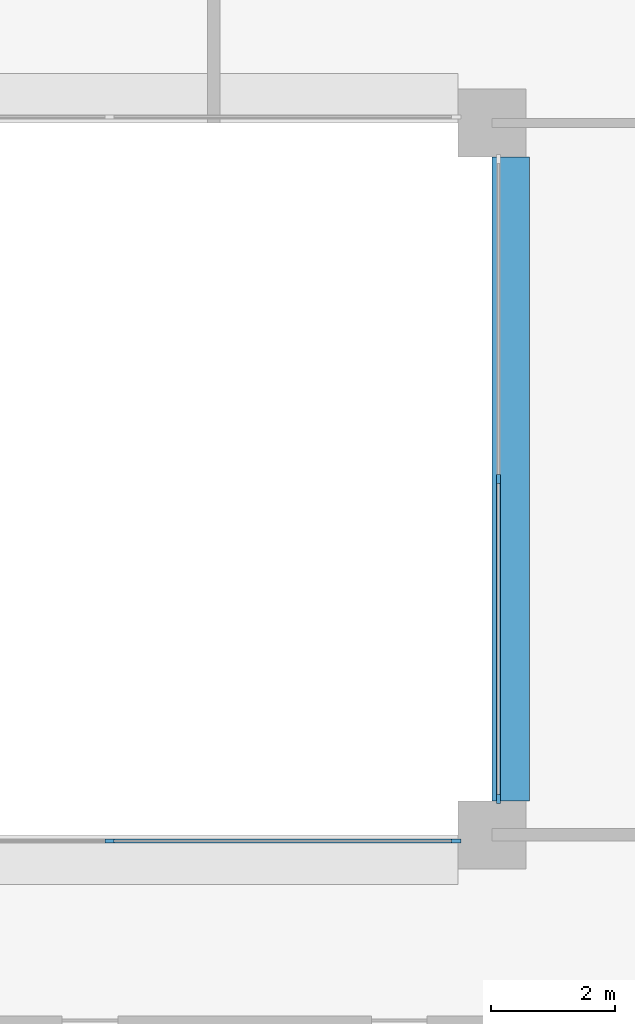
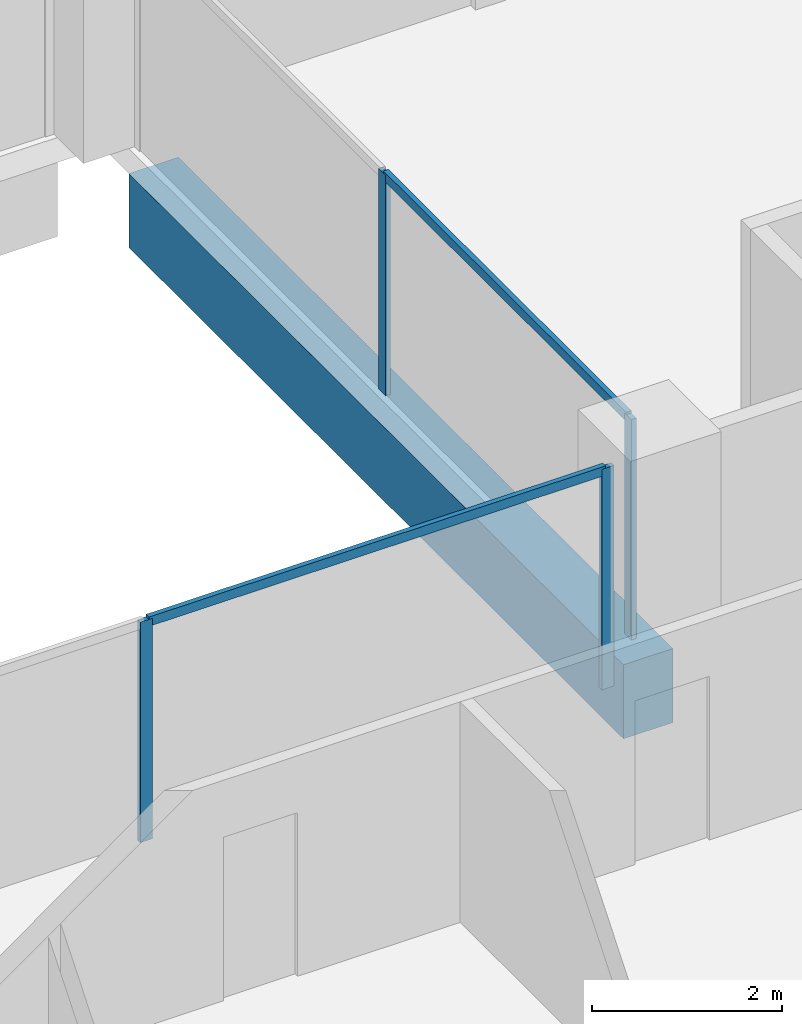
# One storey, part 4 of 16: 6 members, 1 beam, 2 elements without a shape of their own.
"""IFC4 building model written with IfcOpenShell, lengths in metres."""

from ifc_helpers import new_model, si_unit, direction, frame, origin, origin_2d, place, context, subcontext, project, spatial, rectangle, extrude, material, layer, layer_set, material_profile, profile_set, type_object, element, aggregate, save


model = new_model("IFC4")

# Units and contexts
model_context = context("Model", 3, precision=1e-05, world=origin(), true_north=direction((0.0, 1.0)))
body_context = subcontext(model_context, "Body", "Model", "MODEL_VIEW")
ifc_project = project(units=[si_unit("LENGTHUNIT", "METRE"), si_unit("AREAUNIT", "SQUARE_METRE"), si_unit("VOLUMEUNIT", "CUBIC_METRE"), si_unit("PLANEANGLEUNIT", "RADIAN"), si_unit("MASSUNIT", "GRAM", prefix="KILO")], contexts=[model_context])

# Site, building, storey
site_placement = place(None, origin())
site = spatial("IfcSite", under=ifc_project, at=site_placement, CompositionType="ELEMENT")
building_placement = place(site_placement, origin())
building = spatial("IfcBuilding", under=site, at=building_placement, Name="Brigalow Station Residences", CompositionType="ELEMENT")
storey_placement = place(building_placement, frame((0.0, 0.0, 179.10009765625)))
storey = spatial("IfcBuildingStorey", under=building, at=storey_placement, Name="L52", CompositionType="ELEMENT", Elevation=179.10009765625)

# Beam
ifc_material_1 = material(Name="Concrete C65", Category="concrete")
ifc_material_profile_1 = material_profile(ifc_material_1, rectangle(XDim=0.60009765625, YDim=0.949951171875, at=origin_2d()), Name="RC600x950")
ifc_profile_set_1 = profile_set([ifc_material_profile_1], Name="Concrete C65")
beam_type = type_object("IfcBeamType", Name="ATRIUM EDGE GIRDER 600x950 C65", PredefinedType="BEAM", material=ifc_profile_set_1)
beam_placement = place(storey_placement, frame((45.300048828125, 24.550048828125, -0.795166015625), z_axis=(0.0, 1.0, 0.0), x_axis=(-1.0, 0.0, 0.0)))
element("IfcBeam", 1, at=beam_placement, inside=storey, type_object=beam_type, Name="ATRIUM EDGE GIRDER 5 L52", PredefinedType="BEAM", context=body_context, shape_type="SweptSolid", body=[
    extrude(rectangle(XDim=0.60009765625, YDim=0.949951171875, at=origin_2d()), origin(), (0.0, 0.0, 1.0), 10.39990234375),
])

# Curtain wall, members
ifc_material_2 = material(Name="Aluminium", Category="aluminium")
ifc_layer = layer(ifc_material_2, 0.14990234375)
ifc_layer_set = layer_set([ifc_layer], Name="ATRIUM FIRE-RATED GLAZING CURTAIN WALL")
curtain_wall_type = type_object("IfcCurtainWallType", Name="ATRIUM FIRE-RATED GLAZING CURTAIN WALL", PredefinedType="NOTDEFINED", material=ifc_layer_set)
curtain_wall_1_placement = place(storey_placement, origin())
curtain_wall_1 = element("IfcCurtainWall", 2, at=curtain_wall_1_placement, inside=storey, type_object=curtain_wall_type, Name="L52/cw/atrium-S", PredefinedType="NOTDEFINED")
ifc_material_3 = material(Name="Aluminium", Category="aluminium")
ifc_material_profile_2 = material_profile(ifc_material_3, rectangle(XDim=0.06005859375, YDim=0.14990234375, at=origin_2d()), Name="ATRIUM FIRE-RATED GLAZING MULLION 60x150")
ifc_profile_set_2 = profile_set([ifc_material_profile_2], Name="Aluminium")
member_type_1 = type_object("IfcMemberType", Name="ATRIUM FIRE-RATED GLAZING MULLION 60x150", PredefinedType="MULLION", material=ifc_profile_set_2)
member_1_placement = place(storey_placement, frame((38.816650390625, 23.89990234375, 0.0), z_axis=(0.0, 0.0, 1.0), x_axis=(0.0, 1.0, 0.0)))
member_1 = element("IfcMember", 3, at=member_1_placement, type_object=member_type_1, Name="L52/cw/atrium-S/M02", PredefinedType="MULLION", context=body_context, shape_type="SweptSolid", body=[
    extrude(rectangle(XDim=0.06005859375, YDim=0.14990234375, at=origin_2d()), origin(), (0.0, 0.0, 1.0), 2.829833984375),
])
member_2_placement = place(storey_placement, frame((44.419921875, 23.89990234375, 0.0), z_axis=(0.0, 0.0, 1.0), x_axis=(0.0, 1.0, 0.0)))
member_2 = element("IfcMember", 4, at=member_2_placement, type_object=member_type_1, Name="L52/cw/atrium-S/M03", PredefinedType="MULLION", context=body_context, shape_type="SweptSolid", body=[
    extrude(rectangle(XDim=0.06005859375, YDim=0.14990234375, at=origin_2d()), origin(), (0.0, 0.0, 1.0), 2.829833984375),
])

curtain_wall_2_placement = place(storey_placement, origin())
curtain_wall_2 = element("IfcCurtainWall", 5, at=curtain_wall_2_placement, inside=storey, type_object=curtain_wall_type, Name="L52/cw/atrium-E", PredefinedType="NOTDEFINED")
member_3_placement = place(storey_placement, frame((45.10009765625, 24.580078125, 0.0), z_axis=(0.0, 0.0, 1.0), x_axis=(-1.0, 0.0, 0.0)))
member_3 = element("IfcMember", 6, at=member_3_placement, type_object=member_type_1, Name="L52/cw/atrium-E/M00", PredefinedType="MULLION", context=body_context, shape_type="SweptSolid", body=[
    extrude(rectangle(XDim=0.06005859375, YDim=0.14990234375, at=origin_2d()), origin(), (0.0, 0.0, 1.0), 2.829833984375),
])
member_4_placement = place(storey_placement, frame((45.10009765625, 29.75, 0.0), z_axis=(0.0, 0.0, 1.0), x_axis=(-1.0, 0.0, 0.0)))
member_4 = element("IfcMember", 7, at=member_4_placement, type_object=member_type_1, Name="L52/cw/atrium-E/M01", PredefinedType="MULLION", context=body_context, shape_type="SweptSolid", body=[
    extrude(rectangle(XDim=0.06005859375, YDim=0.14990234375, at=origin_2d()), origin(), (0.0, 0.0, 1.0), 2.829833984375),
])

# Member
ifc_material_4 = material(Name="Aluminium", Category="aluminium")
ifc_material_profile_3 = material_profile(ifc_material_4, rectangle(XDim=0.06005859375, YDim=0.1201171875, at=origin_2d()), Name="ATRIUM FIRE-RATED GLAZING TRANSOM 60x120")
ifc_profile_set_3 = profile_set([ifc_material_profile_3], Name="Aluminium")
member_type_2 = type_object("IfcMemberType", Name="ATRIUM FIRE-RATED GLAZING TRANSOM 60x120", PredefinedType="USERDEFINED", material=ifc_profile_set_3)
member_5_placement = place(storey_placement, frame((38.8466796875, 23.89990234375, 2.7998046875), z_axis=(1.0, 0.0, 0.0), x_axis=(0.0, 1.0, 0.0)))
member_5 = element("IfcMember", 8, at=member_5_placement, type_object=member_type_2, Name="L52/cw/atrium-S/T02-00", ObjectType="TRANSOM", PredefinedType="USERDEFINED", context=body_context, shape_type="SweptSolid", body=[
    extrude(rectangle(XDim=0.06005859375, YDim=0.1201171875, at=origin_2d()), origin(), (0.0, 0.0, 1.0), 5.543212890625),
])

aggregate(curtain_wall_1, [member_1, member_2, member_5])

member_6_placement = place(storey_placement, frame((45.10009765625, 24.610107421875, 2.7998046875), z_axis=(0.0, 1.0, 0.0), x_axis=(-1.0, 0.0, 0.0)))
member_6 = element("IfcMember", 9, at=member_6_placement, type_object=member_type_2, Name="L52/cw/atrium-E/T00-00", ObjectType="TRANSOM", PredefinedType="USERDEFINED", context=body_context, shape_type="SweptSolid", body=[
    extrude(rectangle(XDim=0.06005859375, YDim=0.1201171875, at=origin_2d()), origin(), (0.0, 0.0, 1.0), 5.10986328125),
])

aggregate(curtain_wall_2, [member_3, member_4, member_6])

save(model, "model.ifc")
